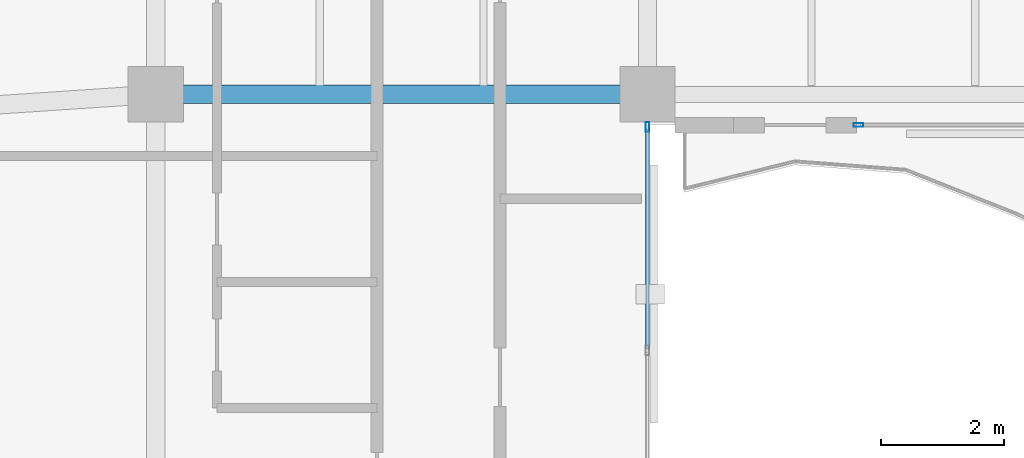
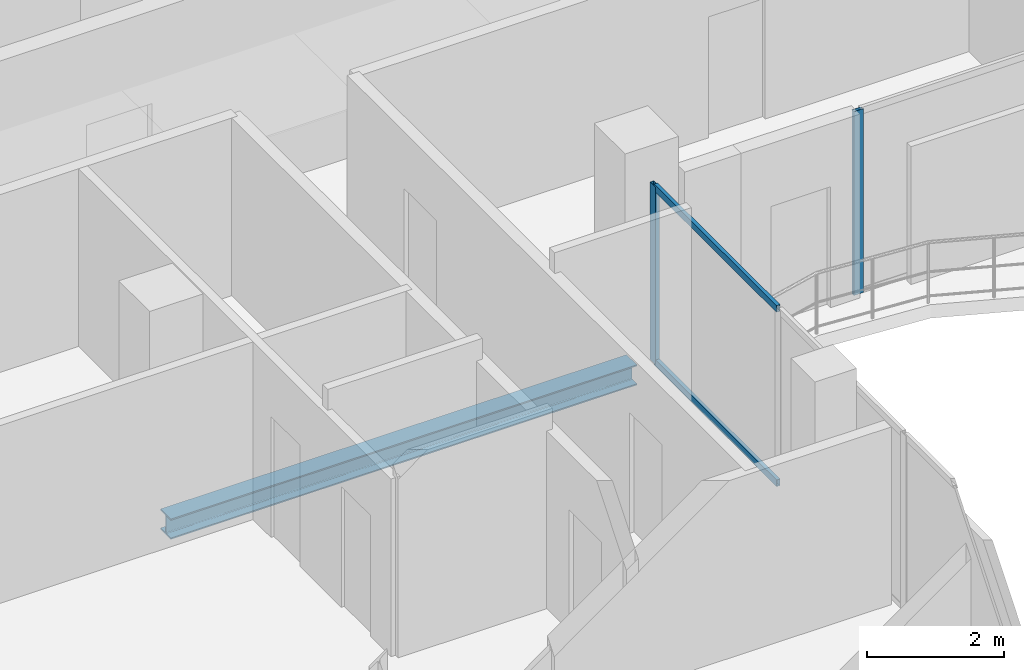
# One storey, part 8 of 22: 4 members, 1 beam, 2 elements without a shape of their own.
"""IFC4 building model written with IfcOpenShell, lengths in metres."""

from ifc_helpers import new_model, si_unit, direction, frame, origin, origin_2d, place, context, subcontext, project, spatial, hollow_rectangle, i_section, extrude, material, layer, layer_set, material_profile, profile_set, type_object, element, aggregate, save


model = new_model("IFC4")

# Units and contexts
model_context = context("Model", 3, precision=1e-05, world=origin(), true_north=direction((0.0, 1.0)))
body_context = subcontext(model_context, "Body", "Model", "MODEL_VIEW")
ifc_project = project(units=[si_unit("LENGTHUNIT", "METRE"), si_unit("AREAUNIT", "SQUARE_METRE"), si_unit("VOLUMEUNIT", "CUBIC_METRE"), si_unit("PLANEANGLEUNIT", "RADIAN"), si_unit("MASSUNIT", "GRAM", prefix="KILO")], contexts=[model_context])

# Site, building, storey
site_placement = place(None, origin())
site = spatial("IfcSite", under=ifc_project, at=site_placement, CompositionType="ELEMENT")
building_placement = place(site_placement, origin())
building = spatial("IfcBuilding", under=site, at=building_placement, Name="Catumbela Crestline Tower", CompositionType="ELEMENT")
storey_placement = place(building_placement, frame((0.0, 0.0, 260.2)))
storey = spatial("IfcBuildingStorey", under=building, at=storey_placement, Name="L67", CompositionType="ELEMENT", Elevation=260.2)

# Beam
ifc_material_1 = material(Name="Structural steel S355J2", Category="steel")
ifc_material_profile_1 = material_profile(ifc_material_1, i_section(OverallWidth=0.3, OverallDepth=0.36, WebThickness=0.0125, FlangeThickness=0.0225, FilletRadius=0.027, at=origin_2d()), Name="HEB 360")
ifc_profile_set_1 = profile_set([ifc_material_profile_1], Name="Structural steel S355J2")
beam_type = type_object("IfcBeamType", Name="BG-HEB360", PredefinedType="BEAM", material=ifc_profile_set_1)
beam_placement = place(storey_placement, frame((16.08, 24.5, -0.44), z_axis=(1.0, 0.0, 0.0), x_axis=(0.0, 1.0, 0.0)))
element("IfcBeam", 1, at=beam_placement, inside=storey, type_object=beam_type, Name="L67 Beam BM-L67-S03", PredefinedType="BEAM", context=body_context, shape_type="SweptSolid", body=[
    extrude(i_section(OverallWidth=0.3, OverallDepth=0.36, WebThickness=0.0125, FlangeThickness=0.0225, FilletRadius=0.027, at=origin_2d()), origin(), (0.0, 0.0, 1.0), 7.84),
])

# Curtain wall, member
ifc_material_2 = material(Name="Aluminium alloy AW-6060-T66", Category="aluminium")
ifc_layer = layer(ifc_material_2, 0.18, Name="Aluminium alloy AW-6060-T66")
ifc_layer_set = layer_set([ifc_layer], Name="Aluminium alloy AW-6060-T66")
curtain_wall_type = type_object("IfcCurtainWallType", Name="CWU-Z4", PredefinedType="USERDEFINED", material=ifc_layer_set)
curtain_wall_1_placement = place(storey_placement, origin())
curtain_wall_1 = element("IfcCurtainWall", 2, at=curtain_wall_1_placement, inside=storey, type_object=curtain_wall_type, Name="L67 Unitised Curtain Wall CW-L67-E2S1", ObjectType="UNITISED", PredefinedType="USERDEFINED")
ifc_material_profile_2 = material_profile(ifc_material_2, hollow_rectangle(XDim=0.06, YDim=0.16, WallThickness=0.004, at=origin_2d()), Name="ALU 160x60x4")
ifc_profile_set_2 = profile_set([ifc_material_profile_2], Name="Aluminium alloy AW-6060-T66")
member_type_1 = type_object("IfcMemberType", Name="MUL-160X60", PredefinedType="MULLION", material=ifc_profile_set_2)
member_1_placement = place(storey_placement, frame((24.0, 23.9675, 0.0), z_axis=(0.0, 0.0, 1.0), x_axis=(-1.0, 0.0, 0.0)))
member_1 = element("IfcMember", 3, at=member_1_placement, type_object=member_type_1, Name="CWU-Z4 mullion 4", PredefinedType="MULLION", context=body_context, shape_type="SweptSolid", body=[
    extrude(hollow_rectangle(XDim=0.06, YDim=0.16, WallThickness=0.004, at=origin_2d()), origin(), (0.0, 0.0, 1.0), 3.16),
])

curtain_wall_2_placement = place(storey_placement, origin())
curtain_wall_2 = element("IfcCurtainWall", 4, at=curtain_wall_2_placement, inside=storey, type_object=curtain_wall_type, Name="L67 Unitised Curtain Wall CW-L67-E3S2", ObjectType="UNITISED", PredefinedType="USERDEFINED")
member_2_placement = place(storey_placement, frame((27.4325, 24.0, 0.0), z_axis=(0.0, 0.0, 1.0), x_axis=(0.0, 1.0, 0.0)))
member_2 = element("IfcMember", 5, at=member_2_placement, type_object=member_type_1, Name="CWU-Z4 mullion 1", PredefinedType="MULLION", context=body_context, shape_type="SweptSolid", body=[
    extrude(hollow_rectangle(XDim=0.06, YDim=0.16, WallThickness=0.004, at=origin_2d()), origin(), (0.0, 0.0, 1.0), 3.27),
])
aggregate(curtain_wall_2, [member_2])

# Member
ifc_material_profile_3 = material_profile(ifc_material_2, hollow_rectangle(XDim=0.06, YDim=0.12, WallThickness=0.0035, at=origin_2d()), Name="ALU 120x60x3.5")
ifc_profile_set_3 = profile_set([ifc_material_profile_3], Name="Aluminium alloy AW-6060-T66")
member_type_2 = type_object("IfcMemberType", Name="TRN-120X60", PredefinedType="USERDEFINED", material=ifc_profile_set_3)
member_3_placement = place(storey_placement, frame((24.0, 20.3658, 0.03), z_axis=(0.0, 1.0, 0.0), x_axis=(-1.0, 0.0, 0.0)))
member_3 = element("IfcMember", 6, at=member_3_placement, type_object=member_type_2, Name="CWU-Z4 transom 3.1", ObjectType="TRANSOM", PredefinedType="USERDEFINED", context=body_context, shape_type="SweptSolid", body=[
    extrude(hollow_rectangle(XDim=0.06, YDim=0.12, WallThickness=0.0035, at=origin_2d()), origin(), (0.0, 0.0, 1.0), 3.5692),
])

member_4_placement = place(storey_placement, frame((24.0, 20.3658, 3.13), z_axis=(0.0, 1.0, 0.0), x_axis=(-1.0, 0.0, 0.0)))
member_4 = element("IfcMember", 7, at=member_4_placement, type_object=member_type_2, Name="CWU-Z4 transom 3.2", ObjectType="TRANSOM", PredefinedType="USERDEFINED", context=body_context, shape_type="SweptSolid", body=[
    extrude(hollow_rectangle(XDim=0.06, YDim=0.12, WallThickness=0.0035, at=origin_2d()), origin(), (0.0, 0.0, 1.0), 3.5692),
])

aggregate(curtain_wall_1, [member_1, member_3, member_4])

save(model, "model.ifc")
